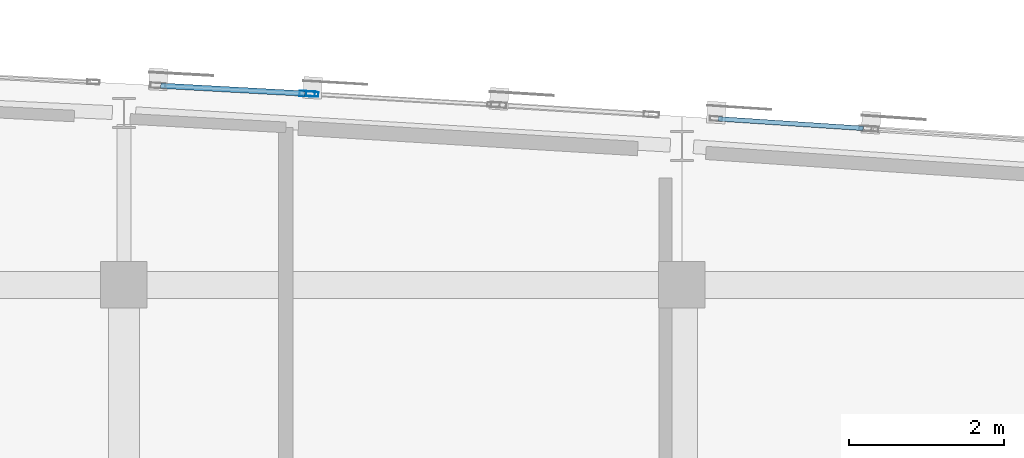
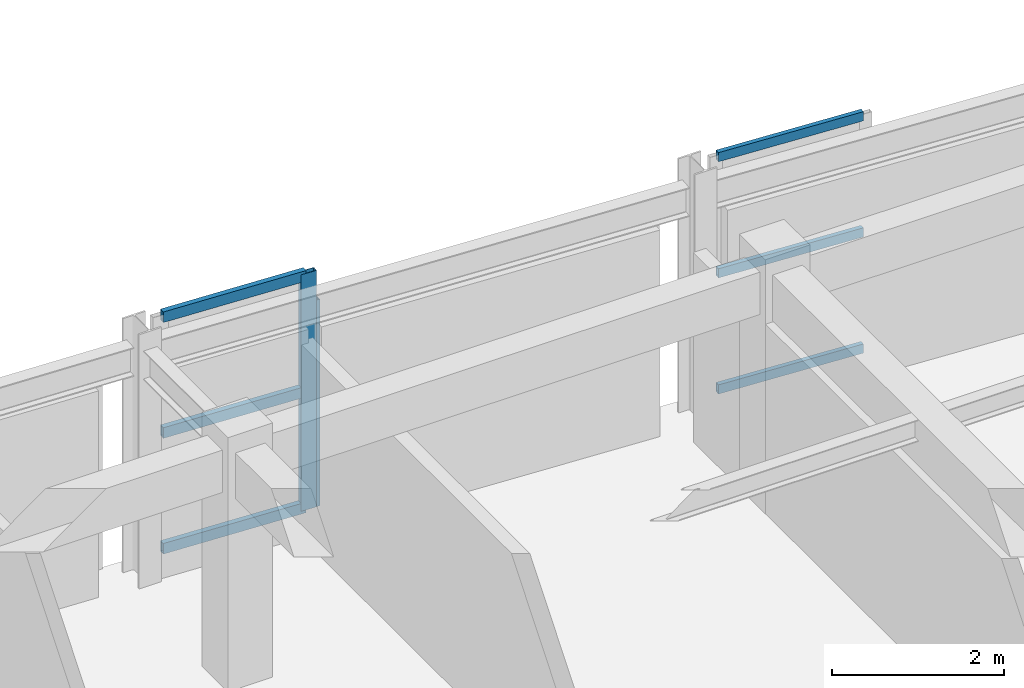
# One storey, part 33 of 73: 8 members, 3 elements without a shape of their own.
"""IFC4 building model written with IfcOpenShell, lengths in metres."""

from ifc_helpers import new_model, si_unit, direction, frame, origin, origin_2d, place, context, subcontext, project, spatial, hollow_rectangle, extrude, material, layer, layer_set, material_profile, profile_set, type_object, element, aggregate, save


model = new_model("IFC4")

# Units and contexts
model_context = context("Model", 3, precision=1e-05, world=origin(), true_north=direction((0.0, 1.0)))
body_context = subcontext(model_context, "Body", "Model", "MODEL_VIEW")
ifc_project = project(units=[si_unit("LENGTHUNIT", "METRE"), si_unit("AREAUNIT", "SQUARE_METRE"), si_unit("VOLUMEUNIT", "CUBIC_METRE"), si_unit("PLANEANGLEUNIT", "RADIAN"), si_unit("MASSUNIT", "GRAM", prefix="KILO")], contexts=[model_context])

# Site, building, storey
site_placement = place(None, origin())
site = spatial("IfcSite", under=ifc_project, at=site_placement, CompositionType="ELEMENT")
building_placement = place(site_placement, origin())
building = spatial("IfcBuilding", under=site, at=building_placement, Name="Carrowvane Square Congress Hotel", CompositionType="ELEMENT")
storey_placement = place(building_placement, frame((0.0, 0.0, 19.199951171875)))
storey = spatial("IfcBuildingStorey", under=building, at=storey_placement, Name="L04", CompositionType="ELEMENT", Elevation=19.199951171875)

# Curtain wall, member
ifc_material_1 = material(Name="Anodised aluminium", Category="aluminium")
ifc_layer_1 = layer(ifc_material_1, 0.18603515625)
ifc_layer_set_1 = layer_set([ifc_layer_1], Name="Anodised aluminium")
curtain_wall_type_1 = type_object("IfcCurtainWallType", Name="CW-SYS-3", PredefinedType="NOTDEFINED", material=ifc_layer_set_1)
curtain_wall_1_placement = place(storey_placement, origin())
curtain_wall_1 = element("IfcCurtainWall", 1, at=curtain_wall_1_placement, inside=storey, type_object=curtain_wall_type_1, Name="L04 unitised curtain wall 282", PredefinedType="NOTDEFINED")
ifc_material_2 = material(Name="Anodised aluminium", Category="aluminium")
ifc_material_profile_1 = material_profile(ifc_material_2, hollow_rectangle(XDim=0.06005859375, YDim=0.159912109375, WallThickness=0.00390625, at=origin_2d()), Name="CW-ML 60x160x4")
ifc_profile_set_1 = profile_set([ifc_material_profile_1], Name="Anodised aluminium")
member_type_1 = type_object("IfcMemberType", Name="CW-MUL-1", PredefinedType="MULLION", material=ifc_profile_set_1)
member_1_placement = place(storey_placement, frame((122.030029296875, 115.864013671875, 0.0), z_axis=(0.0, 0.0, 1.0), x_axis=(0.058851249486, 0.998266763162, 0.0)))
member_1 = element("IfcMember", 2, at=member_1_placement, type_object=member_type_1, Name="CW-3 mullion 1", PredefinedType="MULLION", context=body_context, shape_type="SweptSolid", body=[
    extrude(hollow_rectangle(XDim=0.06005859375, YDim=0.159912109375, WallThickness=0.00390625, at=origin_2d()), origin(), (0.0, 0.0, 1.0), 2.925537109375),
])
aggregate(curtain_wall_1, [member_1])

ifc_material_3 = material(Name="Anodised aluminium", Category="aluminium")
ifc_layer_2 = layer(ifc_material_3, 0.174072265625)
ifc_layer_set_2 = layer_set([ifc_layer_2], Name="Anodised aluminium")
curtain_wall_type_2 = type_object("IfcCurtainWallType", Name="CW-SYS-2", PredefinedType="NOTDEFINED", material=ifc_layer_set_2)
curtain_wall_2_placement = place(storey_placement, origin())
curtain_wall_2 = element("IfcCurtainWall", 3, at=curtain_wall_2_placement, inside=storey, type_object=curtain_wall_type_2, Name="L04 unitised curtain wall 281", PredefinedType="NOTDEFINED")
ifc_material_4 = material(Name="Anodised aluminium", Category="aluminium")
ifc_material_profile_2 = material_profile(ifc_material_4, hollow_rectangle(XDim=0.070068359375, YDim=0.199951171875, WallThickness=0.0048828125, at=origin_2d()), Name="CW-ML 70x200x5")
ifc_profile_set_2 = profile_set([ifc_material_profile_2], Name="Anodised aluminium")
member_type_2 = type_object("IfcMemberType", Name="CW-MUL-2", PredefinedType="MULLION", material=ifc_profile_set_2)
member_2_placement = place(storey_placement, frame((121.965087890625, 115.86767578125, 0.0), z_axis=(0.0, 0.0, 1.0), x_axis=(0.054815980317, 0.998496473856, 0.0)))
member_2 = element("IfcMember", 4, at=member_2_placement, type_object=member_type_2, Name="CW-2 mullion 2", PredefinedType="MULLION", context=body_context, shape_type="SweptSolid", body=[
    extrude(hollow_rectangle(XDim=0.070068359375, YDim=0.199951171875, WallThickness=0.0048828125, at=origin_2d()), origin(), (0.0, 0.0, 1.0), 3.35009765625),
])

# Curtain wall, members
ifc_material_5 = material(Name="Anodised aluminium", Category="aluminium")
ifc_layer_3 = layer(ifc_material_5, 0.2099609375)
ifc_layer_set_3 = layer_set([ifc_layer_3], Name="Anodised aluminium")
curtain_wall_type_3 = type_object("IfcCurtainWallType", Name="CW-SYS-5", PredefinedType="NOTDEFINED", material=ifc_layer_set_3)
curtain_wall_3_placement = place(storey_placement, origin())
curtain_wall_3 = element("IfcCurtainWall", 5, at=curtain_wall_3_placement, inside=storey, type_object=curtain_wall_type_3, Name="L04 unitised curtain wall 284", PredefinedType="NOTDEFINED")
ifc_material_6 = material(Name="Anodised aluminium", Category="aluminium")
ifc_material_profile_3 = material_profile(ifc_material_6, hollow_rectangle(XDim=0.06005859375, YDim=0.1298828125, WallThickness=0.00390625, at=origin_2d()), Name="CW-TR 60x130x4")
ifc_profile_set_3 = profile_set([ifc_material_profile_3], Name="Anodised aluminium")
member_type_3 = type_object("IfcMemberType", Name="CW-TRN-1", PredefinedType="USERDEFINED", material=ifc_profile_set_3)
member_3_placement = place(storey_placement, frame((127.268310546875, 115.543701171875, 0.030029296875), z_axis=(0.997854858908, -0.065465109434, 0.0), x_axis=(0.065465109434, 0.997854858908, 0.0)))
member_3 = element("IfcMember", 6, at=member_3_placement, type_object=member_type_3, Name="CW-5 transom 1.1", ObjectType="TRANSOM", PredefinedType="USERDEFINED", context=body_context, shape_type="SweptSolid", body=[
    extrude(hollow_rectangle(XDim=0.06005859375, YDim=0.1298828125, WallThickness=0.00390625, at=origin_2d()), origin(), (0.0, 0.0, 1.0), 1.875732421875),
])
member_4_placement = place(storey_placement, frame((127.268310546875, 115.543701171875, 1.675048828125), z_axis=(0.997854858908, -0.065465109434, 0.0), x_axis=(0.065465109434, 0.997854858908, 0.0)))
member_4 = element("IfcMember", 7, at=member_4_placement, type_object=member_type_3, Name="CW-5 transom 1.2", ObjectType="TRANSOM", PredefinedType="USERDEFINED", context=body_context, shape_type="SweptSolid", body=[
    extrude(hollow_rectangle(XDim=0.06005859375, YDim=0.1298828125, WallThickness=0.00390625, at=origin_2d()), origin(), (0.0, 0.0, 1.0), 1.875732421875),
])
member_5_placement = place(storey_placement, frame((127.268310546875, 115.543701171875, 3.320068359375), z_axis=(0.997854858908, -0.065465109434, 0.0), x_axis=(0.065465109434, 0.997854858908, 0.0)))
member_5 = element("IfcMember", 8, at=member_5_placement, type_object=member_type_3, Name="CW-5 transom 1.3", ObjectType="TRANSOM", PredefinedType="USERDEFINED", context=body_context, shape_type="SweptSolid", body=[
    extrude(hollow_rectangle(XDim=0.06005859375, YDim=0.1298828125, WallThickness=0.00390625, at=origin_2d()), origin(), (0.0, 0.0, 1.0), 1.875732421875),
])
aggregate(curtain_wall_3, [member_3, member_4, member_5])

# Member
ifc_material_7 = material(Name="Anodised aluminium", Category="aluminium")
ifc_material_profile_4 = material_profile(ifc_material_7, hollow_rectangle(XDim=0.070068359375, YDim=0.14990234375, WallThickness=0.0048828125, at=origin_2d()), Name="CW-TR 70x150x5")
ifc_profile_set_4 = profile_set([ifc_material_profile_4], Name="Anodised aluminium")
member_type_4 = type_object("IfcMemberType", Name="CW-TRN-2", PredefinedType="USERDEFINED", material=ifc_profile_set_4)
member_6_placement = place(storey_placement, frame((120.074462890625, 115.971435546875, 0.03515625), z_axis=(0.998498512711, -0.054778829075, 0.0), x_axis=(0.054778829075, 0.998498512711, 0.0)))
member_6 = element("IfcMember", 9, at=member_6_placement, type_object=member_type_4, Name="CW-2 transom 1.1", ObjectType="TRANSOM", PredefinedType="USERDEFINED", context=body_context, shape_type="SweptSolid", body=[
    extrude(hollow_rectangle(XDim=0.070068359375, YDim=0.14990234375, WallThickness=0.0048828125, at=origin_2d()), origin(), (0.0, 0.0, 1.0), 1.8583984375),
])

member_7_placement = place(storey_placement, frame((120.074462890625, 115.971435546875, 1.675048828125), z_axis=(0.998498512711, -0.054778829075, 0.0), x_axis=(0.054778829075, 0.998498512711, 0.0)))
member_7 = element("IfcMember", 10, at=member_7_placement, type_object=member_type_4, Name="CW-2 transom 1.2", ObjectType="TRANSOM", PredefinedType="USERDEFINED", context=body_context, shape_type="SweptSolid", body=[
    extrude(hollow_rectangle(XDim=0.070068359375, YDim=0.14990234375, WallThickness=0.0048828125, at=origin_2d()), origin(), (0.0, 0.0, 1.0), 1.8583984375),
])

member_8_placement = place(storey_placement, frame((120.074462890625, 115.971435546875, 3.31494140625), z_axis=(0.998498512711, -0.054778829075, 0.0), x_axis=(0.054778829075, 0.998498512711, 0.0)))
member_8 = element("IfcMember", 11, at=member_8_placement, type_object=member_type_4, Name="CW-2 transom 1.3", ObjectType="TRANSOM", PredefinedType="USERDEFINED", context=body_context, shape_type="SweptSolid", body=[
    extrude(hollow_rectangle(XDim=0.070068359375, YDim=0.14990234375, WallThickness=0.0048828125, at=origin_2d()), origin(), (0.0, 0.0, 1.0), 1.8583984375),
])

aggregate(curtain_wall_2, [member_2, member_6, member_7, member_8])

save(model, "model.ifc")
